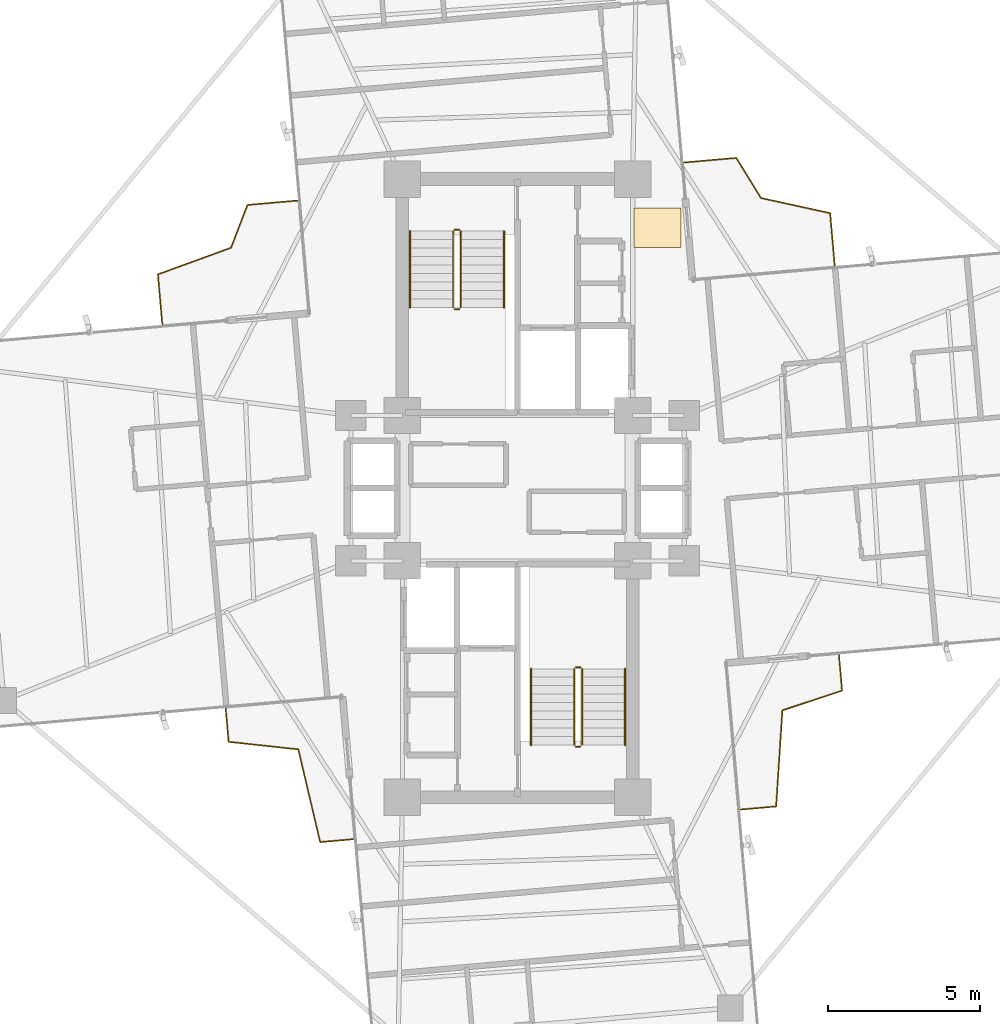
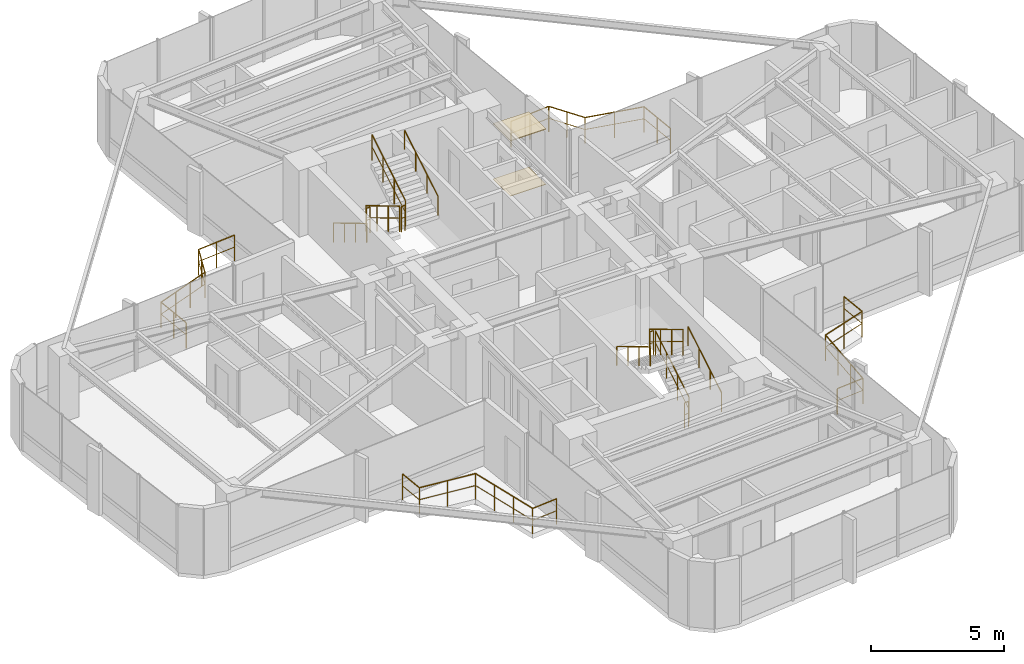
# One storey, part 24 of 24: 16 railings, 2 coverings.
"""IFC4 building model written with IfcOpenShell, lengths in metres."""

from ifc_helpers import new_model, si_unit, direction, frame, origin, origin_2d, place, context, subcontext, project, spatial, polyline, circle, outline, extrude, material, layer, layer_set, type_object, element, save


model = new_model("IFC4")

# Units and contexts
model_context = context("Model", 3, precision=1e-05, world=origin(), true_north=direction((0.0, 1.0)))
body_context = subcontext(model_context, "Body", "Model", "MODEL_VIEW")
ifc_project = project(units=[si_unit("LENGTHUNIT", "METRE"), si_unit("AREAUNIT", "SQUARE_METRE"), si_unit("VOLUMEUNIT", "CUBIC_METRE"), si_unit("PLANEANGLEUNIT", "RADIAN"), si_unit("MASSUNIT", "GRAM", prefix="KILO")], contexts=[model_context])

# Site, building, storey
site_placement = place(None, origin())
site = spatial("IfcSite", under=ifc_project, at=site_placement, CompositionType="ELEMENT")
building_placement = place(site_placement, origin())
building = spatial("IfcBuilding", under=site, at=building_placement, Name="Sahyath Konkavel Grand Hotel", CompositionType="ELEMENT")
storey_placement = place(building_placement, frame((0.0, 0.0, 167.35009765625)))
storey = spatial("IfcBuildingStorey", under=building, at=storey_placement, Name="L46", CompositionType="ELEMENT", Elevation=167.35009765625)

# Coverings
ifc_material_1 = material(Name="Perforated Acoustic Gypsum and Teak Baffle Ceiling")
ifc_layer_1 = layer(ifc_material_1, 0.044921875)
ifc_layer_set_1 = layer_set([ifc_layer_1], Name="Perforated Acoustic Gypsum and Teak Baffle Ceiling")
covering_type_1 = type_object("IfcCoveringType", Name="COV-ACOUSTIC-CLG", PredefinedType="CEILING", material=ifc_layer_set_1)
covering_1_placement = place(storey_placement, frame((0.0, 0.0, 2.52978515625)))
element("IfcCovering", 1, at=covering_1_placement, inside=storey, type_object=covering_type_1, Name="L46 Core Vestibule Acoustic Ceiling", PredefinedType="CEILING", context=body_context, shape_type="SweptSolid", body=[
    extrude(outline(polyline([(3.85009765625, 7.949951171875), (5.39990234375, 7.949951171875), (5.39990234375, 9.25), (3.85009765625, 9.25), (3.85009765625, 7.949951171875)])), origin(), (0.0, 0.0, 1.0), 0.0400390625),
])
ifc_material_2 = material(Name="Polished Konkan Aggregate Terrazzo Flooring")
ifc_layer_2 = layer(ifc_material_2, 0.02001953125)
ifc_layer_set_2 = layer_set([ifc_layer_2], Name="Polished Konkan Aggregate Terrazzo Flooring")
covering_type_2 = type_object("IfcCoveringType", Name="COV-TERRAZZO", PredefinedType="FLOORING", material=ifc_layer_set_2)
covering_2_placement = place(storey_placement, origin())
element("IfcCovering", 2, at=covering_2_placement, inside=storey, type_object=covering_type_2, Name="L46 Core Vestibule Terrazzo Flooring", PredefinedType="FLOORING", context=body_context, shape_type="SweptSolid", body=[
    extrude(outline(polyline([(3.85009765625, 7.949951171875), (5.39990234375, 7.949951171875), (5.39990234375, 9.25), (3.85009765625, 9.25), (3.85009765625, 7.949951171875)])), origin(), (0.0, 0.0, 1.0), 0.02001953125),
])

# Railings
ifc_material_3 = material(Name="Anodised Bronze Aluminium", Category="aluminium")
railing_type_1 = type_object("IfcRailingType", Name="RLG-BALC-1200", PredefinedType="GUARDRAIL", material=ifc_material_3)
railing_1_placement = place(storey_placement, frame((10.46923828125, 7.350341796875, 0.0)))
element("IfcRailing", 3, at=railing_1_placement, inside=storey, type_object=railing_type_1, Name="L46 Winter-Garden Guard NE", PredefinedType="GUARDRAIL", context=body_context, shape_type="SweptSolid", body=[
    extrude(circle(Radius=0.02392578125, at=origin_2d()), frame((-0.000244140625, 0.001953125, 1.17578125), z_axis=(-0.087207146584, 0.996190199502, 0.0), x_axis=(-0.996190199502, -0.087207146584, 0.0)), (0.0, 0.0, 1.0), 1.72900390625),
    extrude(circle(Radius=0.01416015625, at=origin_2d()), frame((-0.000244140625, 0.001953125, 0.6240234375), z_axis=(-0.087207146584, 0.996190199502, 0.0), x_axis=(-0.996190199502, -0.087207146584, 0.0)), (0.0, 0.0, 1.0), 1.72900390625),
    extrude(circle(Radius=0.02392578125, at=origin_2d()), frame((-0.153076171875, 1.726806640625, 1.17578125), z_axis=(-0.976809947137, 0.214108213702, 0.0), x_axis=(-0.214108213702, -0.976809947137, 0.0)), (0.0, 0.0, 1.0), 2.33251953125),
    extrude(circle(Radius=0.01416015625, at=origin_2d()), frame((-0.153076171875, 1.726806640625, 0.6240234375), z_axis=(-0.976809947137, 0.214108213702, 0.0), x_axis=(-0.214108213702, -0.976809947137, 0.0)), (0.0, 0.0, 1.0), 2.33251953125),
    extrude(circle(Radius=0.02392578125, at=origin_2d()), frame((-2.434326171875, 2.228271484375, 1.17578125), z_axis=(-0.524526573751, 0.851394076459, 0.0), x_axis=(-0.851394076459, -0.524526573751, 0.0)), (0.0, 0.0, 1.0), 1.551025390625),
    extrude(circle(Radius=0.01416015625, at=origin_2d()), frame((-2.434326171875, 2.228271484375, 0.6240234375), z_axis=(-0.524526573751, 0.851394076459, 0.0), x_axis=(-0.851394076459, -0.524526573751, 0.0)), (0.0, 0.0, 1.0), 1.551025390625),
    extrude(circle(Radius=0.02392578125, at=origin_2d()), frame((-3.2509765625, 3.55029296875, 1.17578125), z_axis=(-0.996190199502, -0.087207146584, 0.0), x_axis=(0.087207146584, -0.996190199502, 0.0)), (0.0, 0.0, 1.0), 1.72900390625),
    extrude(circle(Radius=0.01416015625, at=origin_2d()), frame((-3.2509765625, 3.55029296875, 0.6240234375), z_axis=(-0.996190199502, -0.087207146584, 0.0), x_axis=(0.087207146584, -0.996190199502, 0.0)), (0.0, 0.0, 1.0), 1.72900390625),
    extrude(circle(Radius=0.02099609375, at=origin_2d()), origin(), (0.0, 0.0, 1.0), 1.15185546875),
    extrude(circle(Radius=0.02099609375, at=origin_2d()), frame((-0.07568359375, 0.86328125, 0.0)), (0.0, 0.0, 1.0), 1.15185546875),
    extrude(circle(Radius=0.02099609375, at=origin_2d()), frame((-0.151123046875, 1.726318359375, 0.0)), (0.0, 0.0, 1.0), 1.15185546875),
    extrude(circle(Radius=0.02099609375, at=origin_2d()), frame((-1.292236328125, 1.9765625, 0.0)), (0.0, 0.0, 1.0), 1.15185546875),
    extrude(circle(Radius=0.02099609375, at=origin_2d()), frame((-2.433349609375, 2.2265625, 0.0)), (0.0, 0.0, 1.0), 1.15185546875),
    extrude(circle(Radius=0.02099609375, at=origin_2d()), frame((-2.84130859375, 2.888671875, 0.0)), (0.0, 0.0, 1.0), 1.15185546875),
    extrude(circle(Radius=0.02099609375, at=origin_2d()), frame((-3.2490234375, 3.550537109375, 0.0)), (0.0, 0.0, 1.0), 1.15185546875),
    extrude(circle(Radius=0.02099609375, at=origin_2d()), frame((-4.1123046875, 3.47509765625, 0.0)), (0.0, 0.0, 1.0), 1.15185546875),
    extrude(circle(Radius=0.02099609375, at=origin_2d()), frame((-4.975341796875, 3.3994140625, 0.0)), (0.0, 0.0, 1.0), 1.15185546875),
])
railing_2_placement = place(storey_placement, frame((-7.264892578125, 9.492919921875, 0.0)))
element("IfcRailing", 4, at=railing_2_placement, inside=storey, type_object=railing_type_1, Name="L46 Winter-Garden Guard NW", PredefinedType="GUARDRAIL", context=body_context, shape_type="SweptSolid", body=[
    extrude(circle(Radius=0.02392578125, at=origin_2d()), frame((-0.001953125, -0.000244140625, 1.17578125), z_axis=(-0.996199484034, -0.08710102187, 0.0), x_axis=(0.08710102187, -0.996199484034, 0.0)), (0.0, 0.0, 1.0), 1.649658203125),
    extrude(circle(Radius=0.01416015625, at=origin_2d()), frame((-0.001953125, -0.000244140625, 0.6240234375), z_axis=(-0.996199484034, -0.08710102187, 0.0), x_axis=(0.08710102187, -0.996199484034, 0.0)), (0.0, 0.0, 1.0), 1.649658203125),
    extrude(circle(Radius=0.02392578125, at=origin_2d()), frame((-1.648193359375, -0.14599609375, 1.17578125), z_axis=(-0.359940220641, -0.932975368145, 0.0), x_axis=(0.932975368145, -0.359940220641, 0.0)), (0.0, 0.0, 1.0), 1.510498046875),
    extrude(circle(Radius=0.01416015625, at=origin_2d()), frame((-1.648193359375, -0.14599609375, 0.6240234375), z_axis=(-0.359940220641, -0.932975368145, 0.0), x_axis=(0.932975368145, -0.359940220641, 0.0)), (0.0, 0.0, 1.0), 1.510498046875),
    extrude(circle(Radius=0.02392578125, at=origin_2d()), frame((-2.194580078125, -1.557861328125, 1.17578125), z_axis=(-0.939471021124, -0.342628370788, 0.0), x_axis=(0.342628370788, -0.939471021124, 0.0)), (0.0, 0.0, 1.0), 2.56396484375),
    extrude(circle(Radius=0.01416015625, at=origin_2d()), frame((-2.194580078125, -1.557861328125, 0.6240234375), z_axis=(-0.939471021124, -0.342628370788, 0.0), x_axis=(0.342628370788, -0.939471021124, 0.0)), (0.0, 0.0, 1.0), 2.56396484375),
    extrude(circle(Radius=0.02392578125, at=origin_2d()), frame((-4.60498046875, -2.43896484375, 1.17578125), z_axis=(0.087113833501, -0.996198363787, 0.0), x_axis=(0.996198363787, 0.087113833501, 0.0)), (0.0, 0.0, 1.0), 1.6494140625),
    extrude(circle(Radius=0.01416015625, at=origin_2d()), frame((-4.60498046875, -2.43896484375, 0.6240234375), z_axis=(0.087113833501, -0.996198363787, 0.0), x_axis=(0.996198363787, 0.087113833501, 0.0)), (0.0, 0.0, 1.0), 1.6494140625),
    extrude(circle(Radius=0.02099609375, at=origin_2d()), origin(), (0.0, 0.0, 1.0), 1.15185546875),
    extrude(circle(Radius=0.02099609375, at=origin_2d()), frame((-0.82373046875, -0.072021484375, 0.0)), (0.0, 0.0, 1.0), 1.15185546875),
    extrude(circle(Radius=0.02099609375, at=origin_2d()), frame((-1.6474609375, -0.14404296875, 0.0)), (0.0, 0.0, 1.0), 1.15185546875),
    extrude(circle(Radius=0.02099609375, at=origin_2d()), frame((-1.919921875, -0.8505859375, 0.0)), (0.0, 0.0, 1.0), 1.15185546875),
    extrude(circle(Radius=0.02099609375, at=origin_2d()), frame((-2.192626953125, -1.55712890625, 0.0)), (0.0, 0.0, 1.0), 1.15185546875),
    extrude(circle(Radius=0.02099609375, at=origin_2d()), frame((-2.996826171875, -1.850341796875, 0.0)), (0.0, 0.0, 1.0), 1.15185546875),
    extrude(circle(Radius=0.02099609375, at=origin_2d()), frame((-3.801025390625, -2.143798828125, 0.0)), (0.0, 0.0, 1.0), 1.15185546875),
    extrude(circle(Radius=0.02099609375, at=origin_2d()), frame((-4.605224609375, -2.43701171875, 0.0)), (0.0, 0.0, 1.0), 1.15185546875),
    extrude(circle(Radius=0.02099609375, at=origin_2d()), frame((-4.533203125, -3.2607421875, 0.0)), (0.0, 0.0, 1.0), 1.15185546875),
    extrude(circle(Radius=0.02099609375, at=origin_2d()), frame((-4.461181640625, -4.084228515625, 0.0)), (0.0, 0.0, 1.0), 1.15185546875),
])
railing_3_placement = place(storey_placement, frame((-9.63232421875, -7.277099609375, 0.0)))
element("IfcRailing", 5, at=railing_3_placement, inside=storey, type_object=railing_type_1, Name="L46 Winter-Garden Guard SW", PredefinedType="GUARDRAIL", context=body_context, shape_type="SweptSolid", body=[
    extrude(circle(Radius=0.02392578125, at=origin_2d()), frame((0.000244140625, -0.001953125, 1.17578125), z_axis=(0.087051249032, -0.996203834585, 0.0), x_axis=(0.996203834585, 0.087051249032, 0.0)), (0.0, 0.0, 1.0), 1.095458984375),
    extrude(circle(Radius=0.01416015625, at=origin_2d()), frame((0.000244140625, -0.001953125, 0.6240234375), z_axis=(0.087051249032, -0.996203834585, 0.0), x_axis=(0.996203834585, 0.087051249032, 0.0)), (0.0, 0.0, 1.0), 1.095458984375),
    extrude(circle(Radius=0.02392578125, at=origin_2d()), frame((0.09765625, -1.095458984375, 1.17578125), z_axis=(0.99409038384, -0.108555556083, 0.0), x_axis=(0.108555556083, 0.99409038384, 0.0)), (0.0, 0.0, 1.0), 2.310302734375),
    extrude(circle(Radius=0.01416015625, at=origin_2d()), frame((0.09765625, -1.095458984375, 0.6240234375), z_axis=(0.99409038384, -0.108555556083, 0.0), x_axis=(0.108555556083, 0.99409038384, 0.0)), (0.0, 0.0, 1.0), 2.310302734375),
    extrude(circle(Radius=0.02392578125, at=origin_2d()), frame((2.396728515625, -1.348388671875, 1.17578125), z_axis=(0.229186560705, -0.973382514941, 0.0), x_axis=(0.973382514941, 0.229186560705, 0.0)), (0.0, 0.0, 1.0), 3.138427734375),
    extrude(circle(Radius=0.01416015625, at=origin_2d()), frame((2.396728515625, -1.348388671875, 0.6240234375), z_axis=(0.229186560705, -0.973382514941, 0.0), x_axis=(0.973382514941, 0.229186560705, 0.0)), (0.0, 0.0, 1.0), 3.138427734375),
    extrude(circle(Radius=0.02392578125, at=origin_2d()), frame((3.118408203125, -4.405029296875, 1.17578125), z_axis=(0.996182860653, 0.087290939629, 0.0), x_axis=(-0.087290939629, 0.996182860653, 0.0)), (0.0, 0.0, 1.0), 1.09521484375),
    extrude(circle(Radius=0.01416015625, at=origin_2d()), frame((3.118408203125, -4.405029296875, 0.6240234375), z_axis=(0.996182860653, 0.087290939629, 0.0), x_axis=(-0.087290939629, 0.996182860653, 0.0)), (0.0, 0.0, 1.0), 1.09521484375),
    extrude(circle(Radius=0.02099609375, at=origin_2d()), origin(), (0.0, 0.0, 1.0), 1.15185546875),
    extrude(circle(Radius=0.02099609375, at=origin_2d()), frame((0.095703125, -1.09521484375, 0.0)), (0.0, 0.0, 1.0), 1.15185546875),
    extrude(circle(Radius=0.02099609375, at=origin_2d()), frame((1.24609375, -1.220703125, 0.0)), (0.0, 0.0, 1.0), 1.15185546875),
    extrude(circle(Radius=0.02099609375, at=origin_2d()), frame((2.396240234375, -1.346435546875, 0.0)), (0.0, 0.0, 1.0), 1.15185546875),
    extrude(circle(Radius=0.02099609375, at=origin_2d()), frame((2.63623046875, -2.365966796875, 0.0)), (0.0, 0.0, 1.0), 1.15185546875),
    extrude(circle(Radius=0.02099609375, at=origin_2d()), frame((2.87646484375, -3.3857421875, 0.0)), (0.0, 0.0, 1.0), 1.15185546875),
    extrude(circle(Radius=0.02099609375, at=origin_2d()), frame((3.116455078125, -4.4052734375, 0.0)), (0.0, 0.0, 1.0), 1.15185546875),
    extrude(circle(Radius=0.02099609375, at=origin_2d()), frame((4.21142578125, -4.309326171875, 0.0)), (0.0, 0.0, 1.0), 1.15185546875),
])
railing_4_placement = place(storey_placement, frame((7.36279296875, -10.608642578125, 0.0)))
element("IfcRailing", 6, at=railing_4_placement, inside=storey, type_object=railing_type_1, Name="L46 Winter-Garden Guard SE", PredefinedType="GUARDRAIL", context=body_context, shape_type="SweptSolid", body=[
    extrude(circle(Radius=0.02392578125, at=origin_2d()), frame((0.001953125, 0.000244140625, 1.17578125), z_axis=(0.996206301528, 0.087023013029, 0.0), x_axis=(-0.087023013029, 0.996206301528, 0.0)), (0.0, 0.0, 1.0), 1.17431640625),
    extrude(circle(Radius=0.01416015625, at=origin_2d()), frame((0.001953125, 0.000244140625, 0.6240234375), z_axis=(0.996206301528, 0.087023013029, 0.0), x_axis=(-0.087023013029, 0.996206301528, 0.0)), (0.0, 0.0, 1.0), 1.17431640625),
    extrude(circle(Radius=0.02392578125, at=origin_2d()), frame((1.174072265625, 0.1044921875, 1.17578125), z_axis=(0.064861207921, 0.997894294856, 0.0), x_axis=(-0.997894294856, 0.064861207921, 0.0)), (0.0, 0.0, 1.0), 3.1728515625),
    extrude(circle(Radius=0.01416015625, at=origin_2d()), frame((1.174072265625, 0.1044921875, 0.6240234375), z_axis=(0.064861207921, 0.997894294856, 0.0), x_axis=(-0.997894294856, 0.064861207921, 0.0)), (0.0, 0.0, 1.0), 3.1728515625),
    extrude(circle(Radius=0.02392578125, at=origin_2d()), frame((1.3818359375, 3.2734375, 1.17578125), z_axis=(0.948824292742, 0.3158044672, 0.0), x_axis=(-0.3158044672, 0.948824292742, 0.0)), (0.0, 0.0, 1.0), 2.072509765625),
    extrude(circle(Radius=0.01416015625, at=origin_2d()), frame((1.3818359375, 3.2734375, 0.6240234375), z_axis=(0.948824292742, 0.3158044672, 0.0), x_axis=(-0.3158044672, 0.948824292742, 0.0)), (0.0, 0.0, 1.0), 2.072509765625),
    extrude(circle(Radius=0.02392578125, at=origin_2d()), frame((3.349853515625, 3.930419921875, 1.17578125), z_axis=(-0.087210635353, 0.996189894087, 0.0), x_axis=(-0.996189894087, -0.087210635353, 0.0)), (0.0, 0.0, 1.0), 1.174560546875),
    extrude(circle(Radius=0.01416015625, at=origin_2d()), frame((3.349853515625, 3.930419921875, 0.6240234375), z_axis=(-0.087210635353, 0.996189894087, 0.0), x_axis=(-0.996189894087, -0.087210635353, 0.0)), (0.0, 0.0, 1.0), 1.174560546875),
    extrude(circle(Radius=0.02099609375, at=origin_2d()), origin(), (0.0, 0.0, 1.0), 1.15185546875),
    extrude(circle(Radius=0.02099609375, at=origin_2d()), frame((1.173828125, 0.1025390625, 0.0)), (0.0, 0.0, 1.0), 1.15185546875),
    extrude(circle(Radius=0.02099609375, at=origin_2d()), frame((1.242431640625, 1.1591796875, 0.0)), (0.0, 0.0, 1.0), 1.15185546875),
    extrude(circle(Radius=0.02099609375, at=origin_2d()), frame((1.311279296875, 2.216064453125, 0.0)), (0.0, 0.0, 1.0), 1.15185546875),
    extrude(circle(Radius=0.02099609375, at=origin_2d()), frame((1.3798828125, 3.272705078125, 0.0)), (0.0, 0.0, 1.0), 1.15185546875),
    extrude(circle(Radius=0.02099609375, at=origin_2d()), frame((2.364990234375, 3.6005859375, 0.0)), (0.0, 0.0, 1.0), 1.15185546875),
    extrude(circle(Radius=0.02099609375, at=origin_2d()), frame((3.35009765625, 3.928466796875, 0.0)), (0.0, 0.0, 1.0), 1.15185546875),
    extrude(circle(Radius=0.02099609375, at=origin_2d()), frame((3.247314453125, 5.1025390625, 0.0)), (0.0, 0.0, 1.0), 1.15185546875),
])
ifc_material_4 = material(Name="Steel E350", Category="steel")
railing_type_2 = type_object("IfcRailingType", Name="RLG-STAIR-GRD", PredefinedType="GUARDRAIL", material=ifc_material_4)
railing_5_placement = place(storey_placement, frame((-2.1298828125, 8.47998046875, 0.16748046875)))
element("IfcRailing", 7, at=railing_5_placement, inside=storey, type_object=railing_type_2, Name="L46 ST-1 stair guard 1", PredefinedType="GUARDRAIL", context=body_context, shape_type="SweptSolid", body=[
    extrude(circle(Radius=0.02392578125, at=origin_2d()), frame((0.0, -0.001708984375, 1.177001953125), z_axis=(0.0, -0.858196387827, 0.513321497621), x_axis=(1.0, 0.0, 0.0)), (0.0, 0.0, 1.0), 2.932373046875),
    extrude(circle(Radius=0.01416015625, at=origin_2d()), frame((0.0, -0.001708984375, 0.625), z_axis=(0.0, -0.858196387827, 0.513321497621), x_axis=(1.0, 0.0, 0.0)), (0.0, 0.0, 1.0), 2.932373046875),
    extrude(circle(Radius=0.02099609375, at=origin_2d()), origin(), (0.0, 0.0, 1.0), 1.15185546875),
    extrude(circle(Radius=0.02099609375, at=origin_2d()), frame((0.0, -0.840087890625, 0.50244140625)), (0.0, 0.0, 1.0), 1.15185546875),
    extrude(circle(Radius=0.02099609375, at=origin_2d()), frame((0.0, -1.679931640625, 1.0048828125)), (0.0, 0.0, 1.0), 1.15185546875),
    extrude(circle(Radius=0.02099609375, at=origin_2d()), frame((0.0, -2.52001953125, 1.50732421875)), (0.0, 0.0, 1.0), 1.15185546875),
])
railing_6_placement = place(storey_placement, frame((-2.080078125, 5.909912109375, 1.6748046875)))
element("IfcRailing", 8, at=railing_6_placement, inside=storey, type_object=railing_type_2, Name="L46 ST-1 stair guard 2", PredefinedType="GUARDRAIL", context=body_context, shape_type="SweptSolid", body=[
    extrude(circle(Radius=0.02392578125, at=origin_2d()), frame((0.001953125, 0.0, 1.17578125), z_axis=(1.0, 0.0, 0.0), x_axis=(0.0, 1.0, 0.0)), (0.0, 0.0, 1.0), 0.15625),
    extrude(circle(Radius=0.01416015625, at=origin_2d()), frame((0.001953125, 0.0, 0.6240234375), z_axis=(1.0, 0.0, 0.0), x_axis=(0.0, 1.0, 0.0)), (0.0, 0.0, 1.0), 0.15625),
    extrude(circle(Radius=0.02099609375, at=origin_2d()), origin(), (0.0, 0.0, 1.0), 1.15185546875),
    extrude(circle(Radius=0.02099609375, at=origin_2d()), frame((0.16015625, 0.0, 0.0)), (0.0, 0.0, 1.0), 1.15185546875),
])
railing_7_placement = place(storey_placement, frame((-1.8701171875, 5.9599609375, 1.84228515625)))
element("IfcRailing", 9, at=railing_7_placement, inside=storey, type_object=railing_type_2, Name="L46 ST-1 stair guard 3", PredefinedType="GUARDRAIL", context=body_context, shape_type="SweptSolid", body=[
    extrude(circle(Radius=0.02392578125, at=origin_2d()), frame((0.0, 0.001708984375, 1.177001953125), z_axis=(0.0, 0.858159760407, 0.513382728203), x_axis=(-1.0, 0.0, 0.0)), (0.0, 0.0, 1.0), 2.9326171875),
    extrude(circle(Radius=0.01416015625, at=origin_2d()), frame((0.0, 0.001708984375, 0.625), z_axis=(0.0, 0.858159760407, 0.513382728203), x_axis=(-1.0, 0.0, 0.0)), (0.0, 0.0, 1.0), 2.9326171875),
    extrude(circle(Radius=0.02099609375, at=origin_2d()), origin(), (0.0, 0.0, 1.0), 1.15185546875),
    extrude(circle(Radius=0.02099609375, at=origin_2d()), frame((0.0, 0.840087890625, 0.50244140625)), (0.0, 0.0, 1.0), 1.15185546875),
    extrude(circle(Radius=0.02099609375, at=origin_2d()), frame((0.0, 1.679931640625, 1.005126953125)), (0.0, 0.0, 1.0), 1.15185546875),
    extrude(circle(Radius=0.02099609375, at=origin_2d()), frame((0.0, 2.52001953125, 1.507568359375)), (0.0, 0.0, 1.0), 1.15185546875),
])
railing_8_placement = place(storey_placement, frame((-2.080078125, 8.530029296875, 0.0)))
element("IfcRailing", 10, at=railing_8_placement, inside=storey, type_object=railing_type_2, Name="L46 ST-1 stair guard 4", PredefinedType="GUARDRAIL", context=body_context, shape_type="SweptSolid", body=[
    extrude(circle(Radius=0.02392578125, at=origin_2d()), frame((0.001953125, 0.0, 1.17578125), z_axis=(1.0, 0.0, 0.0), x_axis=(0.0, 1.0, 0.0)), (0.0, 0.0, 1.0), 0.15625),
    extrude(circle(Radius=0.01416015625, at=origin_2d()), frame((0.001953125, 0.0, 0.6240234375), z_axis=(1.0, 0.0, 0.0), x_axis=(0.0, 1.0, 0.0)), (0.0, 0.0, 1.0), 0.15625),
    extrude(circle(Radius=0.02099609375, at=origin_2d()), origin(), (0.0, 0.0, 1.0), 1.15185546875),
    extrude(circle(Radius=0.02099609375, at=origin_2d()), frame((0.16015625, 0.0, 0.0)), (0.0, 0.0, 1.0), 1.15185546875),
])
railing_9_placement = place(storey_placement, frame((2.1298828125, -8.47998046875, 0.16748046875)))
element("IfcRailing", 11, at=railing_9_placement, inside=storey, type_object=railing_type_2, Name="L46 ST-2 stair guard 1", PredefinedType="GUARDRAIL", context=body_context, shape_type="SweptSolid", body=[
    extrude(circle(Radius=0.02392578125, at=origin_2d()), frame((0.0, 0.001708984375, 1.177001953125), z_axis=(0.0, 0.858196387827, 0.513321497621), x_axis=(-1.0, 0.0, 0.0)), (0.0, 0.0, 1.0), 2.932373046875),
    extrude(circle(Radius=0.01416015625, at=origin_2d()), frame((0.0, 0.001708984375, 0.625), z_axis=(0.0, 0.858196387827, 0.513321497621), x_axis=(-1.0, 0.0, 0.0)), (0.0, 0.0, 1.0), 2.932373046875),
    extrude(circle(Radius=0.02099609375, at=origin_2d()), origin(), (0.0, 0.0, 1.0), 1.15185546875),
    extrude(circle(Radius=0.02099609375, at=origin_2d()), frame((0.0, 0.840087890625, 0.50244140625)), (0.0, 0.0, 1.0), 1.15185546875),
    extrude(circle(Radius=0.02099609375, at=origin_2d()), frame((0.0, 1.679931640625, 1.0048828125)), (0.0, 0.0, 1.0), 1.15185546875),
    extrude(circle(Radius=0.02099609375, at=origin_2d()), frame((0.0, 2.52001953125, 1.50732421875)), (0.0, 0.0, 1.0), 1.15185546875),
])
railing_10_placement = place(storey_placement, frame((2.080078125, -5.909912109375, 1.6748046875)))
element("IfcRailing", 12, at=railing_10_placement, inside=storey, type_object=railing_type_2, Name="L46 ST-2 stair guard 2", PredefinedType="GUARDRAIL", context=body_context, shape_type="SweptSolid", body=[
    extrude(circle(Radius=0.02392578125, at=origin_2d()), frame((-0.001953125, 0.0, 1.17578125), z_axis=(-1.0, 0.0, 0.0), x_axis=(0.0, -1.0, 0.0)), (0.0, 0.0, 1.0), 0.15625),
    extrude(circle(Radius=0.01416015625, at=origin_2d()), frame((-0.001953125, 0.0, 0.6240234375), z_axis=(-1.0, 0.0, 0.0), x_axis=(0.0, -1.0, 0.0)), (0.0, 0.0, 1.0), 0.15625),
    extrude(circle(Radius=0.02099609375, at=origin_2d()), origin(), (0.0, 0.0, 1.0), 1.15185546875),
    extrude(circle(Radius=0.02099609375, at=origin_2d()), frame((-0.16015625, 0.0, 0.0)), (0.0, 0.0, 1.0), 1.15185546875),
])
railing_11_placement = place(storey_placement, frame((1.8701171875, -5.9599609375, 1.84228515625)))
element("IfcRailing", 13, at=railing_11_placement, inside=storey, type_object=railing_type_2, Name="L46 ST-2 stair guard 3", PredefinedType="GUARDRAIL", context=body_context, shape_type="SweptSolid", body=[
    extrude(circle(Radius=0.02392578125, at=origin_2d()), frame((0.0, -0.001708984375, 1.177001953125), z_axis=(0.0, -0.858159760407, 0.513382728203), x_axis=(1.0, 0.0, 0.0)), (0.0, 0.0, 1.0), 2.9326171875),
    extrude(circle(Radius=0.01416015625, at=origin_2d()), frame((0.0, -0.001708984375, 0.625), z_axis=(0.0, -0.858159760407, 0.513382728203), x_axis=(1.0, 0.0, 0.0)), (0.0, 0.0, 1.0), 2.9326171875),
    extrude(circle(Radius=0.02099609375, at=origin_2d()), origin(), (0.0, 0.0, 1.0), 1.15185546875),
    extrude(circle(Radius=0.02099609375, at=origin_2d()), frame((0.0, -0.840087890625, 0.50244140625)), (0.0, 0.0, 1.0), 1.15185546875),
    extrude(circle(Radius=0.02099609375, at=origin_2d()), frame((0.0, -1.679931640625, 1.005126953125)), (0.0, 0.0, 1.0), 1.15185546875),
    extrude(circle(Radius=0.02099609375, at=origin_2d()), frame((0.0, -2.52001953125, 1.507568359375)), (0.0, 0.0, 1.0), 1.15185546875),
])
railing_12_placement = place(storey_placement, frame((2.080078125, -8.530029296875, 0.0)))
element("IfcRailing", 14, at=railing_12_placement, inside=storey, type_object=railing_type_2, Name="L46 ST-2 stair guard 4", PredefinedType="GUARDRAIL", context=body_context, shape_type="SweptSolid", body=[
    extrude(circle(Radius=0.02392578125, at=origin_2d()), frame((-0.001953125, 0.0, 1.17578125), z_axis=(-1.0, 0.0, 0.0), x_axis=(0.0, -1.0, 0.0)), (0.0, 0.0, 1.0), 0.15625),
    extrude(circle(Radius=0.01416015625, at=origin_2d()), frame((-0.001953125, 0.0, 0.6240234375), z_axis=(-1.0, 0.0, 0.0), x_axis=(0.0, -1.0, 0.0)), (0.0, 0.0, 1.0), 0.15625),
    extrude(circle(Radius=0.02099609375, at=origin_2d()), origin(), (0.0, 0.0, 1.0), 1.15185546875),
    extrude(circle(Radius=0.02099609375, at=origin_2d()), frame((-0.16015625, 0.0, 0.0)), (0.0, 0.0, 1.0), 1.15185546875),
])
railing_type_3 = type_object("IfcRailingType", Name="RLG-STAIR-HND", PredefinedType="HANDRAIL", material=ifc_material_3)
railing_13_placement = place(storey_placement, frame((-3.550048828125, 8.47998046875, 0.16748046875)))
element("IfcRailing", 15, at=railing_13_placement, inside=storey, type_object=railing_type_3, Name="L46 ST-1 stair handrail 1", PredefinedType="HANDRAIL", context=body_context, shape_type="SweptSolid", body=[
    extrude(circle(Radius=0.02392578125, at=origin_2d()), frame((0.0, -0.001708984375, 0.876953125), z_axis=(0.0, -0.858196387827, 0.513321497621), x_axis=(1.0, 0.0, 0.0)), (0.0, 0.0, 1.0), 2.932373046875),
    extrude(circle(Radius=0.02099609375, at=origin_2d()), origin(), (0.0, 0.0, 1.0), 0.851806640625),
    extrude(circle(Radius=0.02099609375, at=origin_2d()), frame((0.0, -0.840087890625, 0.50244140625)), (0.0, 0.0, 1.0), 0.851806640625),
    extrude(circle(Radius=0.02099609375, at=origin_2d()), frame((0.0, -1.679931640625, 1.0048828125)), (0.0, 0.0, 1.0), 0.851806640625),
    extrude(circle(Radius=0.02099609375, at=origin_2d()), frame((0.0, -2.52001953125, 1.50732421875)), (0.0, 0.0, 1.0), 0.851806640625),
])
railing_14_placement = place(storey_placement, frame((-0.449951171875, 5.9599609375, 1.84228515625)))
element("IfcRailing", 16, at=railing_14_placement, inside=storey, type_object=railing_type_3, Name="L46 ST-1 stair handrail 2", PredefinedType="HANDRAIL", context=body_context, shape_type="SweptSolid", body=[
    extrude(circle(Radius=0.02392578125, at=origin_2d()), frame((0.0, 0.001708984375, 0.876953125), z_axis=(0.0, 0.858159760407, 0.513382728203), x_axis=(-1.0, 0.0, 0.0)), (0.0, 0.0, 1.0), 2.9326171875),
    extrude(circle(Radius=0.02099609375, at=origin_2d()), origin(), (0.0, 0.0, 1.0), 0.851806640625),
    extrude(circle(Radius=0.02099609375, at=origin_2d()), frame((0.0, 0.840087890625, 0.50244140625)), (0.0, 0.0, 1.0), 0.851806640625),
    extrude(circle(Radius=0.02099609375, at=origin_2d()), frame((0.0, 1.679931640625, 1.005126953125)), (0.0, 0.0, 1.0), 0.851806640625),
    extrude(circle(Radius=0.02099609375, at=origin_2d()), frame((0.0, 2.52001953125, 1.507568359375)), (0.0, 0.0, 1.0), 0.851806640625),
])
railing_15_placement = place(storey_placement, frame((3.550048828125, -8.47998046875, 0.16748046875)))
element("IfcRailing", 17, at=railing_15_placement, inside=storey, type_object=railing_type_3, Name="L46 ST-2 stair handrail 1", PredefinedType="HANDRAIL", context=body_context, shape_type="SweptSolid", body=[
    extrude(circle(Radius=0.02392578125, at=origin_2d()), frame((0.0, 0.001708984375, 0.876953125), z_axis=(0.0, 0.858196387827, 0.513321497621), x_axis=(-1.0, 0.0, 0.0)), (0.0, 0.0, 1.0), 2.932373046875),
    extrude(circle(Radius=0.02099609375, at=origin_2d()), origin(), (0.0, 0.0, 1.0), 0.851806640625),
    extrude(circle(Radius=0.02099609375, at=origin_2d()), frame((0.0, 0.840087890625, 0.50244140625)), (0.0, 0.0, 1.0), 0.851806640625),
    extrude(circle(Radius=0.02099609375, at=origin_2d()), frame((0.0, 1.679931640625, 1.0048828125)), (0.0, 0.0, 1.0), 0.851806640625),
    extrude(circle(Radius=0.02099609375, at=origin_2d()), frame((0.0, 2.52001953125, 1.50732421875)), (0.0, 0.0, 1.0), 0.851806640625),
])
railing_16_placement = place(storey_placement, frame((0.449951171875, -5.9599609375, 1.84228515625)))
element("IfcRailing", 18, at=railing_16_placement, inside=storey, type_object=railing_type_3, Name="L46 ST-2 stair handrail 2", PredefinedType="HANDRAIL", context=body_context, shape_type="SweptSolid", body=[
    extrude(circle(Radius=0.02392578125, at=origin_2d()), frame((0.0, -0.001708984375, 0.876953125), z_axis=(0.0, -0.858159760407, 0.513382728203), x_axis=(1.0, 0.0, 0.0)), (0.0, 0.0, 1.0), 2.9326171875),
    extrude(circle(Radius=0.02099609375, at=origin_2d()), origin(), (0.0, 0.0, 1.0), 0.851806640625),
    extrude(circle(Radius=0.02099609375, at=origin_2d()), frame((0.0, -0.840087890625, 0.50244140625)), (0.0, 0.0, 1.0), 0.851806640625),
    extrude(circle(Radius=0.02099609375, at=origin_2d()), frame((0.0, -1.679931640625, 1.005126953125)), (0.0, 0.0, 1.0), 0.851806640625),
    extrude(circle(Radius=0.02099609375, at=origin_2d()), frame((0.0, -2.52001953125, 1.507568359375)), (0.0, 0.0, 1.0), 0.851806640625),
])

save(model, "model.ifc")
